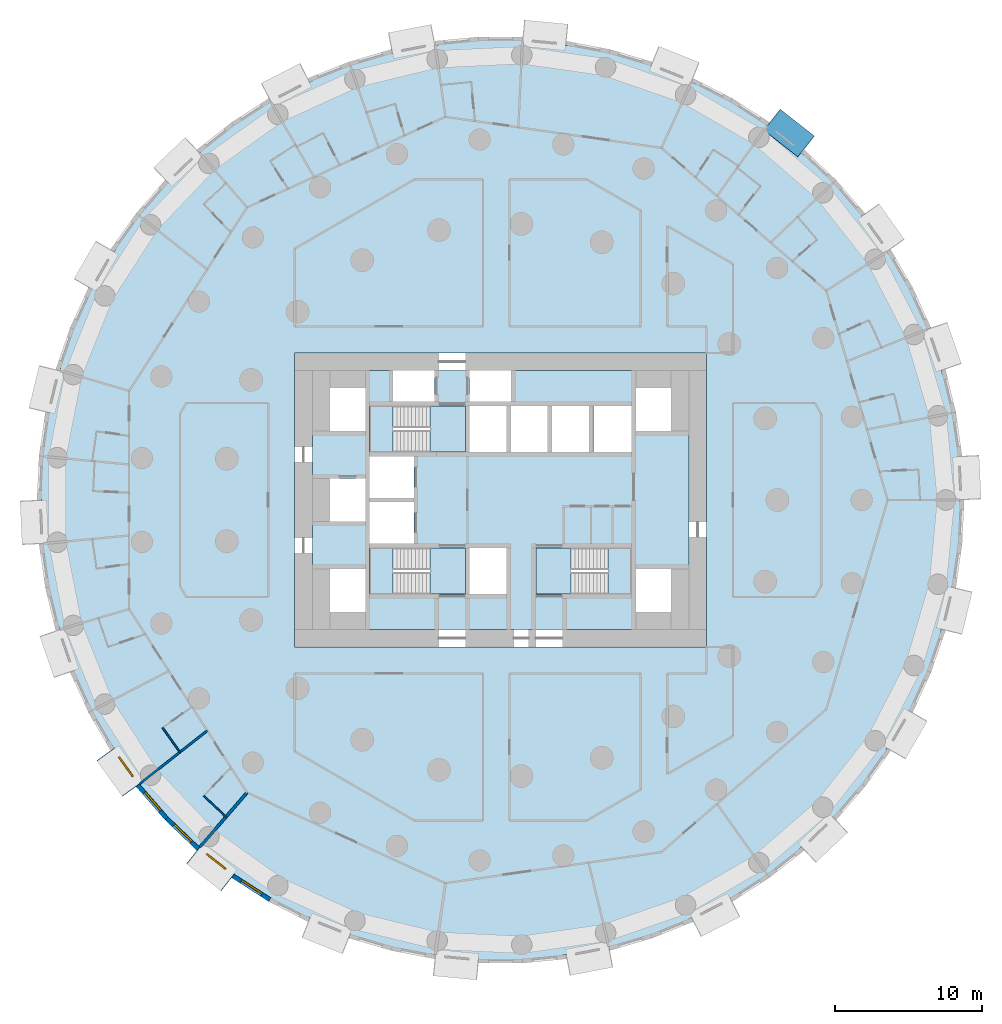
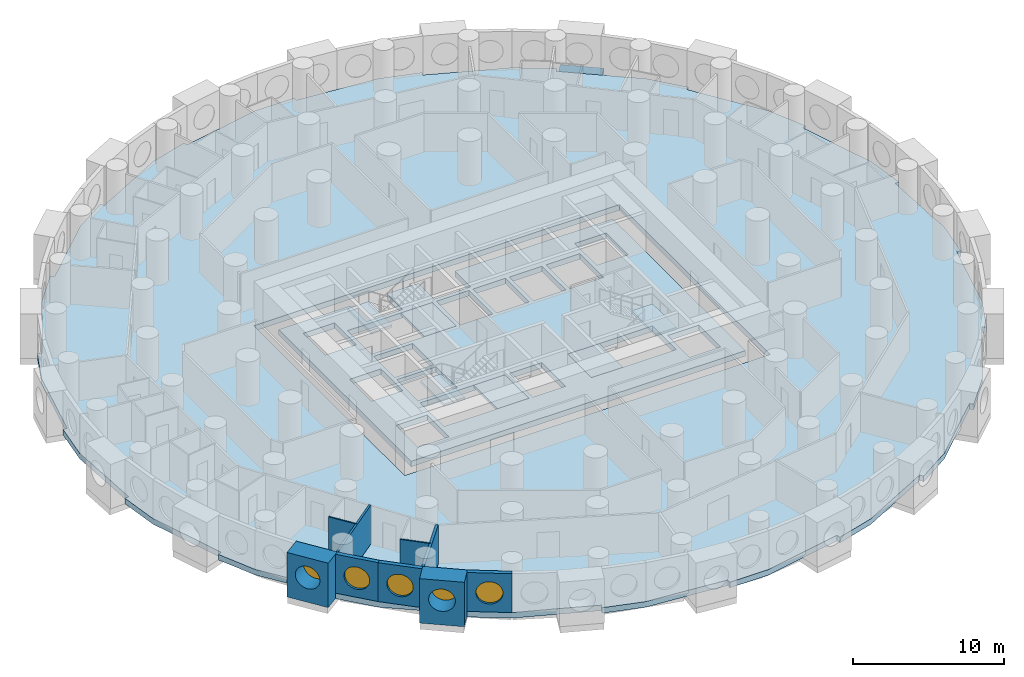
# One storey, part 2 of 12: 9 walls, 8 slabs, 5 windows, 1 beam, 5 openings, 3 elements without a shape of their own.
"""IFC4 building model written with IfcOpenShell, lengths in metres."""

from ifc_helpers import new_model, si_unit, direction, frame, frame_2d, origin, origin_2d, place, context, subcontext, project, spatial, polyline, rectangle, circle, outline, extrude, material, layer, layer_set, material_profile, profile_set, type_object, element, fill, aggregate, save


model = new_model("IFC4")

# Units and contexts
model_context = context("Model", 3, precision=1e-05, world=origin(), true_north=direction((0.0, 1.0)))
body_context = subcontext(model_context, "Body", "Model", "MODEL_VIEW")
ifc_project = project(units=[si_unit("LENGTHUNIT", "METRE"), si_unit("AREAUNIT", "SQUARE_METRE"), si_unit("VOLUMEUNIT", "CUBIC_METRE"), si_unit("PLANEANGLEUNIT", "RADIAN"), si_unit("MASSUNIT", "GRAM", prefix="KILO")], contexts=[model_context])

# Site, building, storey
site_placement = place(None, origin())
site = spatial("IfcSite", under=ifc_project, at=site_placement, CompositionType="ELEMENT")
building_placement = place(site_placement, origin())
building = spatial("IfcBuilding", under=site, at=building_placement, Name="Tracery Tower", CompositionType="ELEMENT")
storey_placement = place(building_placement, frame((0.0, 0.0, 28.199951171875)))
storey = spatial("IfcBuildingStorey", under=building, at=storey_placement, Name="L05", CompositionType="ELEMENT", Elevation=28.199951171875)

# Beam
ifc_material_1 = material(Name="Concrete C60/75", Category="concrete")
ifc_material_profile = material_profile(ifc_material_1, rectangle(XDim=1.81005859375, YDim=0.5, at=origin_2d()), Name="RC 1810x500")
ifc_profile_set = profile_set([ifc_material_profile], Name="Concrete C60/75")
beam_type = type_object("IfcBeamType", Name="Bay seat beam 1810 x 500", PredefinedType="BEAM", material=ifc_profile_set)
beam_placement = place(storey_placement, frame((20.76416015625, 24.0419921875, -0.699951171875), z_axis=(-0.786054237018, 0.618157533696, 0.0), x_axis=(-0.618157533696, -0.786054237018, 0.0)))
element("IfcBeam", 1, at=beam_placement, inside=storey, type_object=beam_type, Name="Bay seat beam 10 at L05", PredefinedType="BEAM", context=body_context, shape_type="SweptSolid", body=[
    extrude(rectangle(XDim=1.81005859375, YDim=0.5, at=origin_2d()), origin(), (0.0, 0.0, 1.0), 2.919921875),
])

# Slabs
ifc_material_2 = material(Name="Concrete C60/75", Category="concrete")
ifc_layer_1 = layer(ifc_material_2, 0.449951171875)
ifc_layer_set_1 = layer_set([ifc_layer_1], Name="Core floor slab 450 C60")
slab_type_1 = type_object("IfcSlabType", Name="Core floor slab 450 C60", PredefinedType="FLOOR", material=ifc_layer_set_1)
slab_1_placement = place(storey_placement, frame((0.0, 0.0, -0.449951171875)))
element("IfcSlab", 2, at=slab_1_placement, inside=storey, type_object=slab_type_1, Name="L05 core floor 1", PredefinedType="FLOOR", context=body_context, shape_type="SweptSolid", body=[
    extrude(outline(polyline([(-12.800048828125, 8.800048828125), (-7.300048828125, 8.800048828125), (-7.300048828125, 6.699951171875), (-4.5, 6.699951171875), (-4.5, 8.800048828125), (-2.10009765625, 8.800048828125), (-2.10009765625, 6.699951171875), (0.699951171875, 6.699951171875), (0.699951171875, 8.800048828125), (12.800048828125, 8.800048828125), (12.800048828125, -8.800048828125), (-12.800048828125, -8.800048828125), (-12.800048828125, 8.800048828125)]), holes=[polyline([(11.60009765625, -7.60009765625), (11.60009765625, -4.699951171875), (9.199951171875, -4.699951171875), (9.199951171875, -7.60009765625), (11.60009765625, -7.60009765625)]), polyline([(11.60009765625, 4.699951171875), (11.60009765625, 7.60009765625), (9.199951171875, 7.60009765625), (9.199951171875, 4.699951171875), (11.60009765625, 4.699951171875)]), polyline([(2.39990234375, -6.39990234375), (8.89990234375, -6.39990234375), (8.89990234375, -3.25), (2.39990234375, -3.25), (2.39990234375, -6.39990234375)]), polyline([(6.300048828125, 3.25), (8.89990234375, 3.25), (8.89990234375, 6.39990234375), (6.300048828125, 6.39990234375), (6.300048828125, 3.25)]), polyline([(3.5, 3.25), (6.0, 3.25), (6.0, 6.39990234375), (3.5, 6.39990234375), (3.5, 3.25)]), polyline([(3.199951171875, 3.25), (3.199951171875, 6.39990234375), (0.699951171875, 6.39990234375), (0.699951171875, 3.25), (3.199951171875, 3.25)]), polyline([(-2.10009765625, 3.25), (0.39990234375, 3.25), (0.39990234375, 6.39990234375), (-2.10009765625, 6.39990234375), (-2.10009765625, 3.25)]), polyline([(0.39990234375, -6.39990234375), (0.39990234375, -3.25), (-2.10009765625, -3.25), (-2.10009765625, -6.39990234375), (0.39990234375, -6.39990234375)]), polyline([(-2.39990234375, -6.39990234375), (-2.39990234375, -3.25), (-8.89990234375, -3.25), (-8.89990234375, -6.39990234375), (-2.39990234375, -6.39990234375)]), polyline([(-2.39990234375, 3.25), (-2.39990234375, 6.39990234375), (-8.89990234375, 6.39990234375), (-8.89990234375, 3.25), (-2.39990234375, 3.25)]), polyline([(-8.89990234375, -2.949951171875), (-5.89990234375, -2.949951171875), (-5.89990234375, -0.14990234375), (-8.89990234375, -0.14990234375), (-8.89990234375, -2.949951171875)]), polyline([(-5.89990234375, 0.14990234375), (-5.89990234375, 2.949951171875), (-8.89990234375, 2.949951171875), (-8.89990234375, 0.14990234375), (-5.89990234375, 0.14990234375)]), polyline([(-11.60009765625, 4.699951171875), (-9.199951171875, 4.699951171875), (-9.199951171875, 7.60009765625), (-11.60009765625, 7.60009765625), (-11.60009765625, 4.699951171875)]), polyline([(-9.199951171875, -7.60009765625), (-9.199951171875, -4.699951171875), (-11.60009765625, -4.699951171875), (-11.60009765625, -7.60009765625), (-9.199951171875, -7.60009765625)]), polyline([(-9.199951171875, -1.449951171875), (-9.199951171875, 1.449951171875), (-11.60009765625, 1.449951171875), (-11.60009765625, -1.449951171875), (-9.199951171875, -1.449951171875)])]), origin(), (0.0, 0.0, 1.0), 0.449951171875),
])
ifc_material_3 = material(Name="Concrete C50/60", Category="concrete")
ifc_layer_2 = layer(ifc_material_3, 0.449951171875)
ifc_layer_set_2 = layer_set([ifc_layer_2], Name="Floor slab 450")
slab_type_2 = type_object("IfcSlabType", Name="Floor slab 450", PredefinedType="FLOOR", material=ifc_layer_set_2)
slab_2_placement = place(storey_placement, frame((0.0, 0.0, -0.449951171875)))
element("IfcSlab", 3, at=slab_2_placement, inside=storey, type_object=slab_type_2, Name="Floor slab L05", PredefinedType="FLOOR", context=body_context, shape_type="SweptSolid", body=[
    extrude(outline(polyline([(29.964111328125, 8.783447265625), (29.964111328125, 8.783447265625), (28.98291015625, 11.618408203125), (29.266357421875, 11.716552734375), (28.020263671875, 14.4453125), (26.27587890625, 16.869384765625), (26.27587890625, 16.869384765625), (26.27001953125, 16.877685546875), (26.267578125, 16.881103515625), (24.81201171875, 18.9248046875), (24.53564453125, 19.313232421875), (24.780029296875, 19.4873046875), (22.8154296875, 21.75439453125), (20.458740234375, 23.5888671875), (20.458740234375, 23.5888671875), (20.4541015625, 23.592529296875), (20.447509765625, 23.59765625), (18.11181640625, 25.4345703125), (18.11181640625, 25.4345703125), (18.1005859375, 25.443359375), (18.2861328125, 25.67919921875), (15.76220703125, 27.301025390625), (12.984375, 28.397216796875), (12.984375, 28.397216796875), (10.19921875, 29.51220703125), (10.310791015625, 29.790771484375), (7.43212890625, 30.635986328125), (4.4580078125, 30.905029296875), (4.4580078125, 30.905029296875), (4.45166015625, 30.90576171875), (4.443603515625, 30.906494140625), (1.859375, 31.1533203125), (1.471435546875, 31.190185546875), (1.5, 31.489013671875), (1.5, 31.489013671875), (-1.5, 31.489013671875), (-4.4296875, 30.9091796875), (-4.4296875, 30.9091796875), (-4.4365234375, 30.90771484375), (-4.443603515625, 30.906494140625), (-7.114501953125, 30.3916015625), (-7.37548828125, 30.34130859375), (-7.43212890625, 30.635986328125), (-10.310791015625, 29.790771484375), (-12.95849609375, 28.4091796875), (-12.958251953125, 28.4091796875), (-13.0693359375, 28.351806640625), (-15.612060546875, 27.041015625), (-15.612060546875, 27.041015625), (-15.624755859375, 27.034423828125), (-15.76220703125, 27.301025390625), (-15.76220703125, 27.301025390625), (-18.2861328125, 25.67919921875), (-20.437255859375, 23.607666015625), (-20.437255859375, 23.607666015625), (-20.441162109375, 23.603759765625), (-20.447509765625, 23.59765625), (-21.854736328125, 22.256103515625), (-22.6083984375, 21.537353515625), (-22.8154296875, 21.75439453125), (-24.780029296875, 19.4873046875), (-26.260498046875, 16.8935546875), (-26.260498046875, 16.8935546875), (-26.265380859375, 16.884765625), (-26.267578125, 16.881103515625), (-27.753173828125, 14.307861328125), (-27.753173828125, 14.307861328125), (-27.760498046875, 14.29541015625), (-28.02001953125, 14.4453125), (-28.020263671875, 14.4453125), (-29.266357421875, 11.716552734375), (-29.956298828125, 8.810791015625), (-29.9560546875, 8.810791015625), (-30.6015625, 6.150390625), (-30.659912109375, 5.9091796875), (-30.659912109375, 5.9091796875), (-30.663330078125, 5.895263671875), (-30.954833984375, 5.966064453125), (-31.3818359375, 2.99658203125), (-31.22509765625, 0.014404296875), (-31.224853515625, 0.014404296875), (-31.082275390625, -2.982421875), (-31.3818359375, -2.99658203125), (-30.954833984375, -5.966064453125), (-29.964111328125, -8.783447265625), (-29.964111328125, -8.783447265625), (-28.98291015625, -11.618408203125), (-29.266357421875, -11.716552734375), (-28.020263671875, -14.4453125), (-26.27587890625, -16.869384765625), (-26.27587890625, -16.869384765625), (-26.27001953125, -16.877685546875), (-26.267578125, -16.881103515625), (-24.81201171875, -18.9248046875), (-24.53564453125, -19.313232421875), (-24.780029296875, -19.4873046875), (-22.8154296875, -21.75439453125), (-20.458740234375, -23.5888671875), (-20.458740234375, -23.5888671875), (-20.4541015625, -23.592529296875), (-20.447509765625, -23.59765625), (-18.11181640625, -25.4345703125), (-18.11181640625, -25.4345703125), (-18.1005859375, -25.443359375), (-18.2861328125, -25.67919921875), (-15.76220703125, -27.301025390625), (-12.984375, -28.397216796875), (-12.984375, -28.397216796875), (-10.19921875, -29.51220703125), (-10.310791015625, -29.790771484375), (-7.43212890625, -30.635986328125), (-4.4580078125, -30.905029296875), (-4.4580078125, -30.905029296875), (-4.45166015625, -30.90576171875), (-4.443603515625, -30.906494140625), (-1.859375, -31.1533203125), (-1.471435546875, -31.190185546875), (-1.5, -31.489013671875), (-1.5, -31.489013671875), (1.5, -31.489013671875), (4.4296875, -30.9091796875), (4.4296875, -30.9091796875), (4.4365234375, -30.90771484375), (4.443603515625, -30.906494140625), (7.114501953125, -30.3916015625), (7.37548828125, -30.34130859375), (7.43212890625, -30.635986328125), (10.310791015625, -29.790771484375), (12.95849609375, -28.4091796875), (12.958251953125, -28.4091796875), (13.0693359375, -28.351806640625), (15.612060546875, -27.041015625), (15.612060546875, -27.041015625), (15.624755859375, -27.034423828125), (15.76220703125, -27.301025390625), (15.76220703125, -27.301025390625), (18.2861328125, -25.67919921875), (20.437255859375, -23.607666015625), (20.437255859375, -23.607666015625), (20.441162109375, -23.603759765625), (20.447509765625, -23.59765625), (21.854736328125, -22.256103515625), (22.6083984375, -21.537353515625), (22.8154296875, -21.75439453125), (24.780029296875, -19.4873046875), (26.260498046875, -16.8935546875), (26.260498046875, -16.8935546875), (26.265380859375, -16.884765625), (26.267578125, -16.881103515625), (27.753173828125, -14.307861328125), (27.753173828125, -14.307861328125), (27.760498046875, -14.29541015625), (28.02001953125, -14.4453125), (28.020263671875, -14.4453125), (29.266357421875, -11.716552734375), (29.956298828125, -8.810791015625), (29.9560546875, -8.810791015625), (30.6015625, -6.150390625), (30.659912109375, -5.9091796875), (30.659912109375, -5.9091796875), (30.663330078125, -5.895263671875), (30.954833984375, -5.966064453125), (31.3818359375, -2.99658203125), (31.22509765625, -0.014404296875), (31.224853515625, -0.014404296875), (31.082275390625, 2.982421875), (31.3818359375, 2.99658203125), (30.954833984375, 5.966064453125), (29.964111328125, 8.783447265625)]), holes=[polyline([(-14.0, -10.0), (14.0, -10.0), (14.0, 10.0), (-14.0, 10.0), (-14.0, -10.0)])]), origin(), (0.0, 0.0, 1.0), 0.449951171875),
])
ifc_material_4 = material(Name="Concrete C32/40", Category="concrete")
ifc_layer_3 = layer(ifc_material_4, 0.199951171875)
ifc_layer_set_3 = layer_set([ifc_layer_3], Name="Stair landing slab 200")
slab_type_3 = type_object("IfcSlabType", Name="Stair landing slab 200", PredefinedType="LANDING", material=ifc_layer_set_3)
slab_3_placement = place(storey_placement, frame((0.0, 0.0, -0.199951171875)))
element("IfcSlab", 4, at=slab_3_placement, inside=storey, type_object=slab_type_3, Name="L05 stair ST1 floor landing", PredefinedType="LANDING", context=body_context, shape_type="SweptSolid", body=[
    extrude(outline(polyline([(-2.39990234375, -3.25), (-4.800537109375, -3.25), (-4.800537109375, -6.39990234375), (-2.39990234375, -6.39990234375), (-2.39990234375, -3.25)])), origin(), (0.0, 0.0, 1.0), 0.199951171875),
])
slab_4_placement = place(storey_placement, frame((0.0, 0.0, -0.199951171875)))
element("IfcSlab", 5, at=slab_4_placement, inside=storey, type_object=slab_type_3, Name="L05 stair ST3 floor landing", PredefinedType="LANDING", context=body_context, shape_type="SweptSolid", body=[
    extrude(outline(polyline([(-2.39990234375, 6.39990234375), (-4.800537109375, 6.39990234375), (-4.800537109375, 3.25), (-2.39990234375, 3.25), (-2.39990234375, 6.39990234375)])), origin(), (0.0, 0.0, 1.0), 0.199951171875),
])
slab_5_placement = place(storey_placement, frame((0.0, 0.0, -0.199951171875)))
element("IfcSlab", 6, at=slab_5_placement, inside=storey, type_object=slab_type_3, Name="L05 stair ST2 floor landing", PredefinedType="LANDING", context=body_context, shape_type="SweptSolid", body=[
    extrude(outline(polyline([(2.39990234375, -6.39990234375), (4.800537109375, -6.39990234375), (4.800537109375, -3.25), (2.39990234375, -3.25), (2.39990234375, -6.39990234375)])), origin(), (0.0, 0.0, 1.0), 0.199951171875),
])

# Stair, slab
ifc_material_5 = material(Name="Concrete C32/40", Category="concrete")
stair_type = type_object("IfcStairType", Name="Core stair 22 risers", PredefinedType="HALF_TURN_STAIR", material=ifc_material_5)
stair_1_placement = place(storey_placement, origin())
stair_1 = element("IfcStair", 7, at=stair_1_placement, inside=storey, type_object=stair_type, Name="L05 stair ST1", PredefinedType="HALF_TURN_STAIR")
slab_6_placement = place(storey_placement, frame((0.0, 0.0, 1.60009765625)))
slab_6 = element("IfcSlab", 8, at=slab_6_placement, type_object=slab_type_3, Name="ST1 landing 1", PredefinedType="LANDING", context=body_context, shape_type="SweptSolid", body=[
    extrude(outline(polyline([(-7.29931640625, -3.25), (-8.89990234375, -3.25), (-8.89990234375, -6.39990234375), (-7.29931640625, -6.39990234375), (-7.29931640625, -3.25)])), origin(), (0.0, 0.0, 1.0), 0.199951171875),
])
aggregate(stair_1, [slab_6])

stair_2_placement = place(storey_placement, origin())
stair_2 = element("IfcStair", 9, at=stair_2_placement, inside=storey, type_object=stair_type, Name="L05 stair ST3", PredefinedType="HALF_TURN_STAIR")
slab_7_placement = place(storey_placement, frame((0.0, 0.0, 1.60009765625)))
slab_7 = element("IfcSlab", 10, at=slab_7_placement, type_object=slab_type_3, Name="ST3 landing 1", PredefinedType="LANDING", context=body_context, shape_type="SweptSolid", body=[
    extrude(outline(polyline([(-7.29931640625, 6.39990234375), (-8.89990234375, 6.39990234375), (-8.89990234375, 3.25), (-7.29931640625, 3.25), (-7.29931640625, 6.39990234375)])), origin(), (0.0, 0.0, 1.0), 0.199951171875),
])
aggregate(stair_2, [slab_7])

stair_3_placement = place(storey_placement, origin())
stair_3 = element("IfcStair", 11, at=stair_3_placement, inside=storey, type_object=stair_type, Name="L05 stair ST2", PredefinedType="HALF_TURN_STAIR")
slab_8_placement = place(storey_placement, frame((0.0, 0.0, 1.60009765625)))
slab_8 = element("IfcSlab", 12, at=slab_8_placement, type_object=slab_type_3, Name="ST2 landing 1", PredefinedType="LANDING", context=body_context, shape_type="SweptSolid", body=[
    extrude(outline(polyline([(7.29931640625, -6.39990234375), (8.89990234375, -6.39990234375), (8.89990234375, -3.25), (7.29931640625, -3.25), (7.29931640625, -6.39990234375)])), origin(), (0.0, 0.0, 1.0), 0.199951171875),
])
aggregate(stair_3, [slab_8])

# Wall, opening, window
ifc_material_6 = material(Name="Precast concrete C50/60", Category="concrete")
ifc_layer_4 = layer(ifc_material_6, 1.449951171875)
ifc_layer_set_4 = layer_set([ifc_layer_4], Name="Deep-set bay unit 3000 x 3600, slab edge 450")
wall_type_1 = type_object("IfcWallType", Name="Deep-set bay unit 3000 x 3600, slab edge 450", PredefinedType="ELEMENTEDWALL", material=ifc_layer_set_4)
wall_1_placement = place(storey_placement, frame((-26.866455078125, -17.2900390625, -0.449951171875), z_axis=(0.0, 0.0, 1.0), x_axis=(0.580090570606, -0.814551981088, 0.0)))
wall_1 = element("IfcWall", 13, at=wall_1_placement, inside=storey, type_object=wall_type_1, Name="Deep-set bay unit 40 at L05", PredefinedType="ELEMENTEDWALL", context=body_context, shape_type="SweptSolid", body=[
    extrude(rectangle(XDim=3.0, YDim=1.449951171875, at=frame_2d((1.5, 0.0))), origin(), (0.0, 0.0, 1.0), 3.60009765625),
])
opening_1_placement = place(wall_1_placement, frame((1.5, 0.0, 2.0)))
opening_1 = element("IfcOpeningElement", 14, at=opening_1_placement, cuts=wall_1, Name="Opening WN1", PredefinedType="OPENING", context=body_context, shape_type="SweptSolid", body=[
    extrude(circle(Radius=0.9000244140625, at=origin_2d()), frame((0.0, 0.73486328125, 0.0), z_axis=(0.0, -1.0, 0.0), x_axis=(1.0, 0.0, 0.0)), (0.0, 0.0, 1.0), 1.469970703125),
])
ifc_material_7 = material(Name="Aluminium frame with tinted double glazing", Category="aluminium")
window_type = type_object("IfcWindowType", Name="Round window 1800", PartitioningType="SINGLE_PANEL", PredefinedType="WINDOW", material=ifc_material_7)
window_1_placement = place(opening_1_placement, origin())
window_1 = element("IfcWindow", 15, at=window_1_placement, inside=storey, type_object=window_type, Name="Round window 40 at L05", OverallHeight=1.800048828125, OverallWidth=1.800048828125, PartitioningType="SINGLE_PANEL", PredefinedType="WINDOW", context=body_context, shape_type="SweptSolid", body=[
    extrude(circle(Radius=0.9000244140625, at=origin_2d()), frame((0.0, 0.69482421875, 0.0), z_axis=(0.0, -1.0, 0.0), x_axis=(1.0, 0.0, 0.0)), (0.0, 0.0, 1.0), 0.10009765625),
])
fill(opening_1, window_1)

wall_2_placement = place(storey_placement, frame((-20.906982421875, -24.15869140625, -0.449951171875), z_axis=(0.0, 0.0, 1.0), x_axis=(0.786049992888, -0.618162930529, 0.0)))
wall_2 = element("IfcWall", 16, at=wall_2_placement, inside=storey, type_object=wall_type_1, Name="Deep-set bay unit 43 at L05", PredefinedType="ELEMENTEDWALL", context=body_context, shape_type="SweptSolid", body=[
    extrude(rectangle(XDim=3.0, YDim=1.449951171875, at=frame_2d((1.5, 0.0))), origin(), (0.0, 0.0, 1.0), 3.60009765625),
])
opening_2_placement = place(wall_2_placement, frame((1.5, 0.0, 2.0)))
opening_2 = element("IfcOpeningElement", 17, at=opening_2_placement, cuts=wall_2, Name="Opening WN1", PredefinedType="OPENING", context=body_context, shape_type="SweptSolid", body=[
    extrude(circle(Radius=0.9000244140625, at=origin_2d()), frame((0.0, 0.73486328125, 0.0), z_axis=(0.0, -1.0, 0.0), x_axis=(1.0, 0.0, 0.0)), (0.0, 0.0, 1.0), 1.469970703125),
])
window_2_placement = place(opening_2_placement, origin())
window_2 = element("IfcWindow", 18, at=window_2_placement, inside=storey, type_object=window_type, Name="Round window 43 at L05", OverallHeight=1.800048828125, OverallWidth=1.800048828125, PartitioningType="SINGLE_PANEL", PredefinedType="WINDOW", context=body_context, shape_type="SweptSolid", body=[
    extrude(circle(Radius=0.9000244140625, at=origin_2d()), frame((0.0, 0.69482421875, 0.0), z_axis=(0.0, -1.0, 0.0), x_axis=(1.0, 0.0, 0.0)), (0.0, 0.0, 1.0), 0.10009765625),
])
fill(opening_2, window_2)

ifc_material_8 = material(Name="Precast concrete C50/60", Category="concrete")
ifc_layer_5 = layer(ifc_material_8, 0.300048828125)
ifc_layer_set_5 = layer_set([ifc_layer_5], Name="Facade panel 3000 x 3150")
wall_type_2 = type_object("IfcWallType", Name="Facade panel 3000 x 3150", PredefinedType="SOLIDWALL", material=ifc_layer_set_5)
wall_3_placement = place(storey_placement, frame((-24.657958984375, -19.39892578125, 0.0), z_axis=(0.0, 0.0, 1.0), x_axis=(0.654830712471, -0.755775587066, 0.0)))
wall_3 = element("IfcWall", 19, at=wall_3_placement, inside=storey, type_object=wall_type_2, Name="Facade panel 41 at L05", PredefinedType="SOLIDWALL", context=body_context, shape_type="SweptSolid", body=[
    extrude(rectangle(XDim=2.979736328125, YDim=0.300048828125, at=frame_2d((1.48974609375, 0.0))), origin(), (0.0, 0.0, 1.0), 3.150146484375),
])
opening_3_placement = place(wall_3_placement, frame((1.48974609375, 0.0, 1.5498046875)))
opening_3 = element("IfcOpeningElement", 20, at=opening_3_placement, cuts=wall_3, Name="Opening WN1", PredefinedType="OPENING", context=body_context, shape_type="SweptSolid", body=[
    extrude(circle(Radius=0.9000244140625, at=origin_2d()), frame((0.0, 0.159912109375, 0.0), z_axis=(0.0, -1.0, 0.0), x_axis=(1.0, 0.0, 0.0)), (0.0, 0.0, 1.0), 0.320068359375),
])
window_3_placement = place(opening_3_placement, origin())
window_3 = element("IfcWindow", 21, at=window_3_placement, inside=storey, type_object=window_type, Name="Round window 41 at L05", OverallHeight=1.800048828125, OverallWidth=1.800048828125, PartitioningType="SINGLE_PANEL", PredefinedType="WINDOW", context=body_context, shape_type="SweptSolid", body=[
    extrude(circle(Radius=0.9000244140625, at=origin_2d()), frame((0.0, 0.1201171875, 0.0), z_axis=(0.0, -1.0, 0.0), x_axis=(1.0, 0.0, 0.0)), (0.0, 0.0, 1.0), 0.10009765625),
])
fill(opening_3, window_3)

wall_4_placement = place(storey_placement, frame((-22.706787109375, -21.65087890625, 0.0), z_axis=(0.0, 0.0, 1.0), x_axis=(0.723744206617, -0.690068346896, 0.0)))
wall_4 = element("IfcWall", 22, at=wall_4_placement, inside=storey, type_object=wall_type_2, Name="Facade panel 42 at L05", PredefinedType="SOLIDWALL", context=body_context, shape_type="SweptSolid", body=[
    extrude(rectangle(XDim=2.979736328125, YDim=0.300048828125, at=frame_2d((1.48974609375, 0.0))), origin(), (0.0, 0.0, 1.0), 3.150146484375),
])
opening_4_placement = place(wall_4_placement, frame((1.48974609375, 0.0, 1.5498046875)))
opening_4 = element("IfcOpeningElement", 23, at=opening_4_placement, cuts=wall_4, Name="Opening WN1", PredefinedType="OPENING", context=body_context, shape_type="SweptSolid", body=[
    extrude(circle(Radius=0.9000244140625, at=origin_2d()), frame((0.0, 0.159912109375, 0.0), z_axis=(0.0, -1.0, 0.0), x_axis=(1.0, 0.0, 0.0)), (0.0, 0.0, 1.0), 0.320068359375),
])
window_4_placement = place(opening_4_placement, origin())
window_4 = element("IfcWindow", 24, at=window_4_placement, inside=storey, type_object=window_type, Name="Round window 42 at L05", OverallHeight=1.800048828125, OverallWidth=1.800048828125, PartitioningType="SINGLE_PANEL", PredefinedType="WINDOW", context=body_context, shape_type="SweptSolid", body=[
    extrude(circle(Radius=0.9000244140625, at=origin_2d()), frame((0.0, 0.1201171875, 0.0), z_axis=(0.0, -1.0, 0.0), x_axis=(1.0, 0.0, 0.0)), (0.0, 0.0, 1.0), 0.10009765625),
])
fill(opening_4, window_4)

wall_5_placement = place(storey_placement, frame((-18.19384765625, -25.56005859375, 0.0), z_axis=(0.0, 0.0, 1.0), x_axis=(0.84122372879, -0.540687190639, 0.0)))
wall_5 = element("IfcWall", 25, at=wall_5_placement, inside=storey, type_object=wall_type_2, Name="Facade panel 44 at L05", PredefinedType="SOLIDWALL", context=body_context, shape_type="SweptSolid", body=[
    extrude(rectangle(XDim=2.979736328125, YDim=0.300048828125, at=frame_2d((1.48974609375, 0.0))), origin(), (0.0, 0.0, 1.0), 3.150146484375),
])
opening_5_placement = place(wall_5_placement, frame((1.48974609375, 0.0, 1.5498046875)))
opening_5 = element("IfcOpeningElement", 26, at=opening_5_placement, cuts=wall_5, Name="Opening WN1", PredefinedType="OPENING", context=body_context, shape_type="SweptSolid", body=[
    extrude(circle(Radius=0.9000244140625, at=origin_2d()), frame((0.0, 0.159912109375, 0.0), z_axis=(0.0, -1.0, 0.0), x_axis=(1.0, 0.0, 0.0)), (0.0, 0.0, 1.0), 0.320068359375),
])
window_5_placement = place(opening_5_placement, origin())
window_5 = element("IfcWindow", 27, at=window_5_placement, inside=storey, type_object=window_type, Name="Round window 44 at L05", OverallHeight=1.800048828125, OverallWidth=1.800048828125, PartitioningType="SINGLE_PANEL", PredefinedType="WINDOW", context=body_context, shape_type="SweptSolid", body=[
    extrude(circle(Radius=0.9000244140625, at=origin_2d()), frame((0.0, 0.1201171875, 0.0), z_axis=(0.0, -1.0, 0.0), x_axis=(1.0, 0.0, 0.0)), (0.0, 0.0, 1.0), 0.10009765625),
])
fill(opening_5, window_5)

# Walls
ifc_material_9 = material(Name="Plasterboard on steel studs", Category="steel")
ifc_layer_6 = layer(ifc_material_9, 0.10009765625)
ifc_layer_set_6 = layer_set([ifc_layer_6], Name="Partition 100 wet wall")
wall_type_3 = type_object("IfcWallType", Name="Partition 100 wet wall", PredefinedType="PARTITIONING", material=ifc_layer_set_6)
wall_6_placement = place(storey_placement, frame((-22.97802734375, -15.486083984375, 0.0), z_axis=(0.0, 0.0, 1.0), x_axis=(0.580283748447, -0.814414373208, 0.0)))
element("IfcWall", 28, at=wall_6_placement, inside=storey, type_object=wall_type_3, Name="Wet wall RA1-107", PredefinedType="PARTITIONING", context=body_context, shape_type="SweptSolid", body=[
    extrude(rectangle(XDim=2.033447265625, YDim=0.10009765625, at=frame_2d((1.0166015625, 0.0))), origin(), (0.0, 0.0, 1.0), 3.150146484375),
])
wall_7_placement = place(storey_placement, frame((-20.1689453125, -20.117919921875, 0.0), z_axis=(0.0, 0.0, 1.0), x_axis=(0.723537557066, -0.690285016145, 0.0)))
element("IfcWall", 29, at=wall_7_placement, inside=storey, type_object=wall_type_3, Name="Wet wall RA1-110", PredefinedType="PARTITIONING", context=body_context, shape_type="SweptSolid", body=[
    extrude(rectangle(XDim=2.070556640625, YDim=0.10009765625, at=frame_2d((1.03515625, 0.0))), origin(), (0.0, 0.0, 1.0), 3.150146484375),
])
ifc_material_10 = material(Name="Plasterboard on steel studs", Category="steel")
ifc_layer_7 = layer(ifc_material_10, 0.14990234375)
ifc_layer_set_7 = layer_set([ifc_layer_7], Name="Partition 150 acoustic unit wall")
wall_type_4 = type_object("IfcWallType", Name="Partition 150 acoustic unit wall", PredefinedType="PARTITIONING", material=ifc_layer_set_7)
wall_8_placement = place(storey_placement, frame((-24.5439453125, -19.302001953125, 0.0), z_axis=(0.0, 0.0, 1.0), x_axis=(0.78597832915, 0.618254046576, 0.0)))
element("IfcWall", 30, at=wall_8_placement, inside=storey, type_object=wall_type_4, Name="Unit wall RA1-108", PredefinedType="PARTITIONING", context=body_context, shape_type="SweptSolid", body=[
    extrude(rectangle(XDim=5.857421875, YDim=0.14990234375, at=frame_2d((2.9287109375, 0.0))), origin(), (0.0, 0.0, 1.0), 3.150146484375),
])
ifc_material_11 = material(Name="Plasterboard on steel studs", Category="steel")
ifc_layer_8 = layer(ifc_material_11, 0.199951171875)
ifc_layer_set_8 = layer_set([ifc_layer_8], Name="Partition 200 compartment wall")
wall_type_5 = type_object("IfcWallType", Name="Partition 200 compartment wall", PredefinedType="PARTITIONING", material=ifc_layer_set_8)
wall_9_placement = place(storey_placement, frame((-20.447998046875, -23.597900390625, 0.0), z_axis=(0.0, 0.0, 1.0), x_axis=(0.654847179409, 0.755761319214, 0.0)))
element("IfcWall", 31, at=wall_9_placement, inside=storey, type_object=wall_type_5, Name="Compartment wall RA1-111", PredefinedType="PARTITIONING", context=body_context, shape_type="SweptSolid", body=[
    extrude(rectangle(XDim=4.90625, YDim=0.199951171875, at=frame_2d((2.453125, 0.0))), origin(), (0.0, 0.0, 1.0), 3.150146484375),
])

save(model, "model.ifc")
